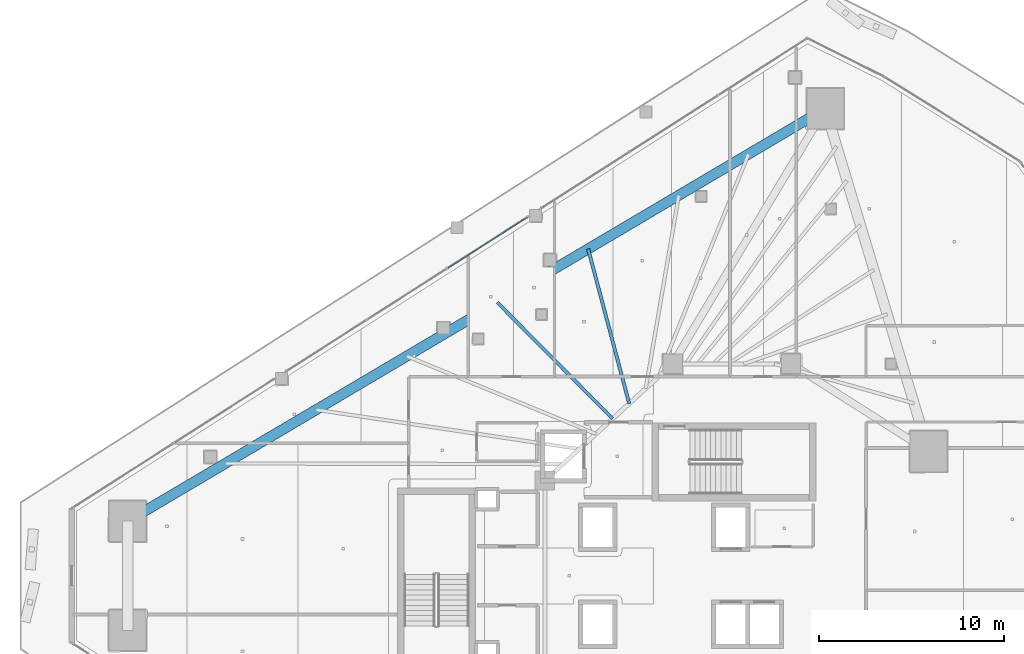
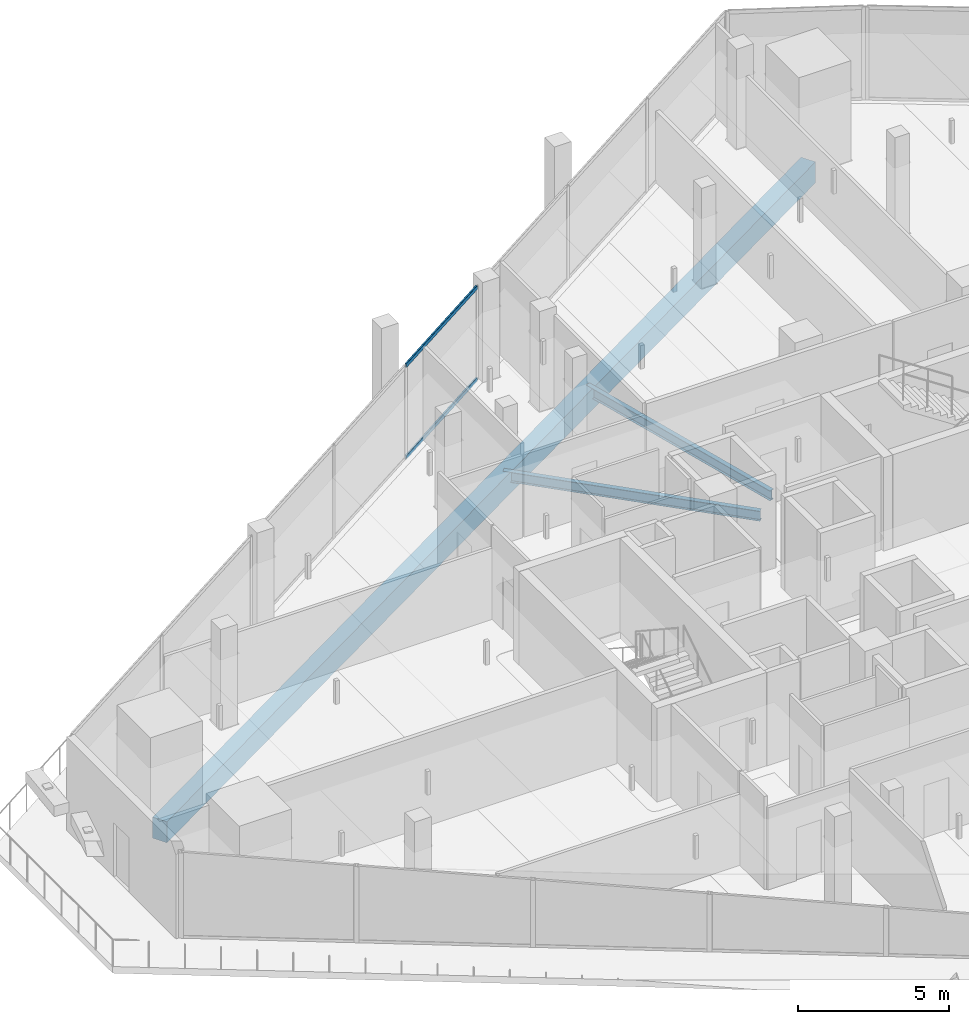
# One storey, part 16 of 35: 3 beams, 2 members, 1 element without a shape of its own.
"""IFC4 building model written with IfcOpenShell, lengths in metres."""

from ifc_helpers import new_model, si_unit, direction, frame, origin, origin_2d, place, context, subcontext, project, spatial, rectangle, hollow_rectangle, i_section, extrude, material, layer, layer_set, material_profile, profile_set, type_object, element, aggregate, save


model = new_model("IFC4")

# Units and contexts
model_context = context("Model", 3, precision=1e-05, world=origin(), true_north=direction((0.0, 1.0)))
body_context = subcontext(model_context, "Body", "Model", "MODEL_VIEW")
ifc_project = project(units=[si_unit("LENGTHUNIT", "METRE"), si_unit("AREAUNIT", "SQUARE_METRE"), si_unit("VOLUMEUNIT", "CUBIC_METRE"), si_unit("PLANEANGLEUNIT", "RADIAN"), si_unit("MASSUNIT", "GRAM", prefix="KILO")], contexts=[model_context])

# Site, building, storey
site_placement = place(None, origin())
site = spatial("IfcSite", under=ifc_project, at=site_placement, CompositionType="ELEMENT")
building_placement = place(site_placement, origin())
building = spatial("IfcBuilding", under=site, at=building_placement, Name="Qorvath Tower", CompositionType="ELEMENT")
storey_placement = place(building_placement, frame((0.0, 0.0, 166.5)))
storey = spatial("IfcBuildingStorey", under=building, at=storey_placement, Name="L38", CompositionType="ELEMENT", Elevation=166.5)

# Beams
ifc_material_1 = material(Name="Steel ASTM A992 Grade 50", Category="steel")
ifc_material_profile_1 = material_profile(ifc_material_1, i_section(OverallWidth=0.177978515625, OverallDepth=0.406005859375, WebThickness=0.0078125, FlangeThickness=0.0126953125, FilletRadius=0.010986328125, at=origin_2d()), Name="W16x40")
ifc_profile_set_1 = profile_set([ifc_material_profile_1], Name="Steel ASTM A992 Grade 50")
beam_type_1 = type_object("IfcBeamType", Name="BM-FJ3", PredefinedType="JOIST", material=ifc_profile_set_1)
beam_1_placement = place(storey_placement, frame((-26.843017578125, 8.489013671875, -0.472900390625), z_axis=(-0.70395121362, 0.710248328997, 0.0), x_axis=(-0.710248328997, -0.70395121362, 0.0)))
element("IfcBeam", 1, at=beam_1_placement, inside=storey, type_object=beam_type_1, Name="Composite Floor Joist NW4 L38", PredefinedType="JOIST", context=body_context, shape_type="SweptSolid", body=[
    extrude(i_section(OverallWidth=0.177978515625, OverallDepth=0.406005859375, WebThickness=0.0078125, FlangeThickness=0.0126953125, FilletRadius=0.010986328125, at=origin_2d()), origin(), (0.0, 0.0, 1.0), 8.839599609375),
])
beam_2_placement = place(storey_placement, frame((-25.946044921875, 9.30810546875, -0.472900390625), z_axis=(-0.256507909517, 0.966542131702, 0.0), x_axis=(-0.966542131702, -0.256507909517, 0.0)))
element("IfcBeam", 2, at=beam_2_placement, inside=storey, type_object=beam_type_1, Name="Composite Floor Joist NW5 L38", PredefinedType="JOIST", context=body_context, shape_type="SweptSolid", body=[
    extrude(i_section(OverallWidth=0.177978515625, OverallDepth=0.406005859375, WebThickness=0.0078125, FlangeThickness=0.0126953125, FilletRadius=0.010986328125, at=origin_2d()), origin(), (0.0, 0.0, 1.0), 8.64697265625),
])
ifc_material_2 = material(Name="Concrete C50/60", Category="concrete")
ifc_material_profile_2 = material_profile(ifc_material_2, rectangle(XDim=0.550048828125, YDim=0.85009765625, at=origin_2d()), Name="RCB 850x550")
ifc_profile_set_2 = profile_set([ifc_material_profile_2], Name="Concrete C50/60")
beam_type_2 = type_object("IfcBeamType", Name="BM-RCB2", PredefinedType="SPANDREL", material=ifc_profile_set_2)
beam_3_placement = place(storey_placement, frame((-15.34423828125, 25.24609375, -0.695068359375), z_axis=(-0.860775142889, -0.508985415689, 0.0), x_axis=(0.508985415689, -0.860775142889, 0.0)))
element("IfcBeam", 3, at=beam_3_placement, inside=storey, type_object=beam_type_2, Name="Perimeter Loggia Frame Beam MC6-MC1 L38", PredefinedType="SPANDREL", context=body_context, shape_type="SweptSolid", body=[
    extrude(rectangle(XDim=0.550048828125, YDim=0.85009765625, at=origin_2d()), origin(), (0.0, 0.0, 1.0), 43.8037109375),
])

# Curtain wall, members
ifc_material_3 = material(Name="Anodised aluminium and triple low-E glass", Category="aluminium")
ifc_layer = layer(ifc_material_3, 0.179931640625)
ifc_layer_set = layer_set([ifc_layer], Name="CW-SYS-3")
curtain_wall_type = type_object("IfcCurtainWallType", Name="CW-SYS-3", PredefinedType="NOTDEFINED", material=ifc_layer_set)
curtain_wall_placement = place(storey_placement, origin())
curtain_wall = element("IfcCurtainWall", 4, at=curtain_wall_placement, inside=storey, type_object=curtain_wall_type, Name="Curtain Wall CW-3 CW-T-L38-16.2", PredefinedType="NOTDEFINED")
ifc_material_4 = material(Name="Anodised aluminium 6063-T6", Category="aluminium")
ifc_material_profile_3 = material_profile(ifc_material_4, hollow_rectangle(XDim=0.06494140625, YDim=0.159912109375, WallThickness=0.00341796875, InnerFilletRadius=0.00341796875, OuterFilletRadius=0.007080078125, at=origin_2d()), Name="CWT 160x65")
ifc_profile_set_3 = profile_set([ifc_material_profile_3], Name="Anodised aluminium 6063-T6")
member_type = type_object("IfcMemberType", Name="CWT-160", PredefinedType="USERDEFINED", material=ifc_profile_set_3)
member_1_placement = place(storey_placement, frame((-31.440673828125, 19.37890625, 0.032470703125), z_axis=(-0.842588786004, -0.53855745998, 0.0), x_axis=(0.53855745998, -0.842588786004, 0.0)))
member_1 = element("IfcMember", 5, at=member_1_placement, type_object=member_type, Name="CW-3 transom 1.1", ObjectType="TRANSOM", PredefinedType="USERDEFINED", context=body_context, shape_type="SweptSolid", body=[
    extrude(hollow_rectangle(XDim=0.06494140625, YDim=0.159912109375, WallThickness=0.00341796875, InnerFilletRadius=0.00341796875, OuterFilletRadius=0.007080078125, at=origin_2d()), origin(), (0.0, 0.0, 1.0), 5.0966796875),
])
member_2_placement = place(storey_placement, frame((-31.440673828125, 19.37890625, 3.74755859375), z_axis=(-0.842588786004, -0.53855745998, 0.0), x_axis=(0.53855745998, -0.842588786004, 0.0)))
member_2 = element("IfcMember", 6, at=member_2_placement, type_object=member_type, Name="CW-3 transom 1.2", ObjectType="TRANSOM", PredefinedType="USERDEFINED", context=body_context, shape_type="SweptSolid", body=[
    extrude(hollow_rectangle(XDim=0.06494140625, YDim=0.159912109375, WallThickness=0.00341796875, InnerFilletRadius=0.00341796875, OuterFilletRadius=0.007080078125, at=origin_2d()), origin(), (0.0, 0.0, 1.0), 5.0966796875),
])
aggregate(curtain_wall, [member_1, member_2])

save(model, "model.ifc")
